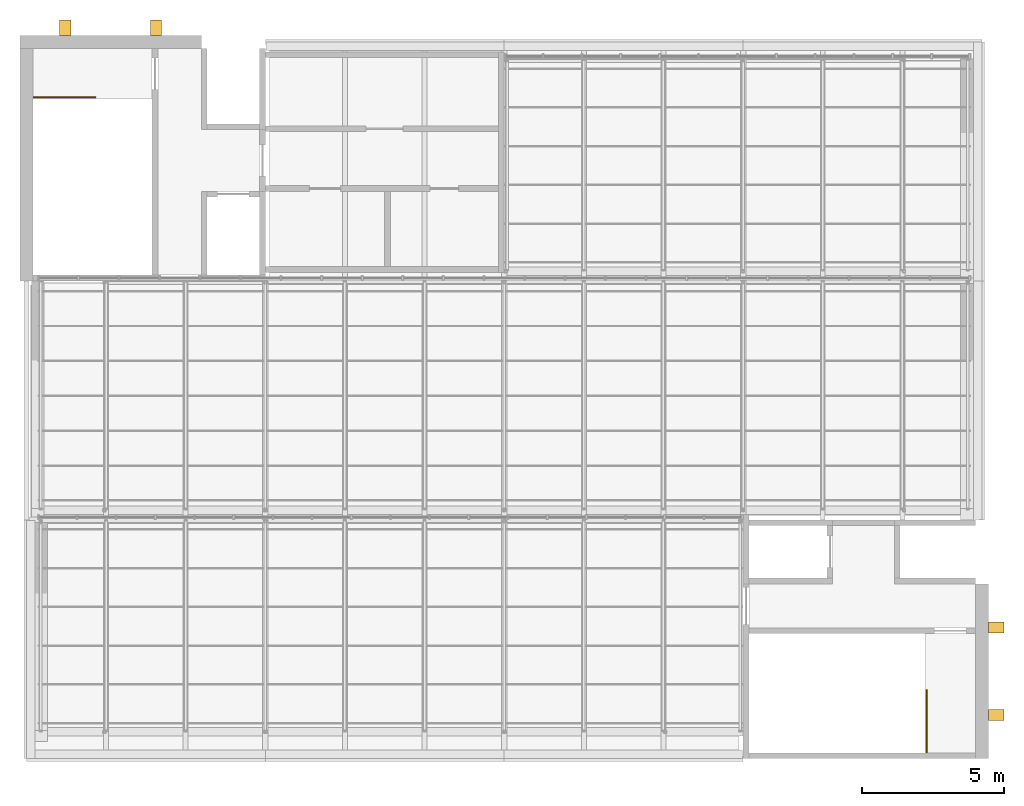
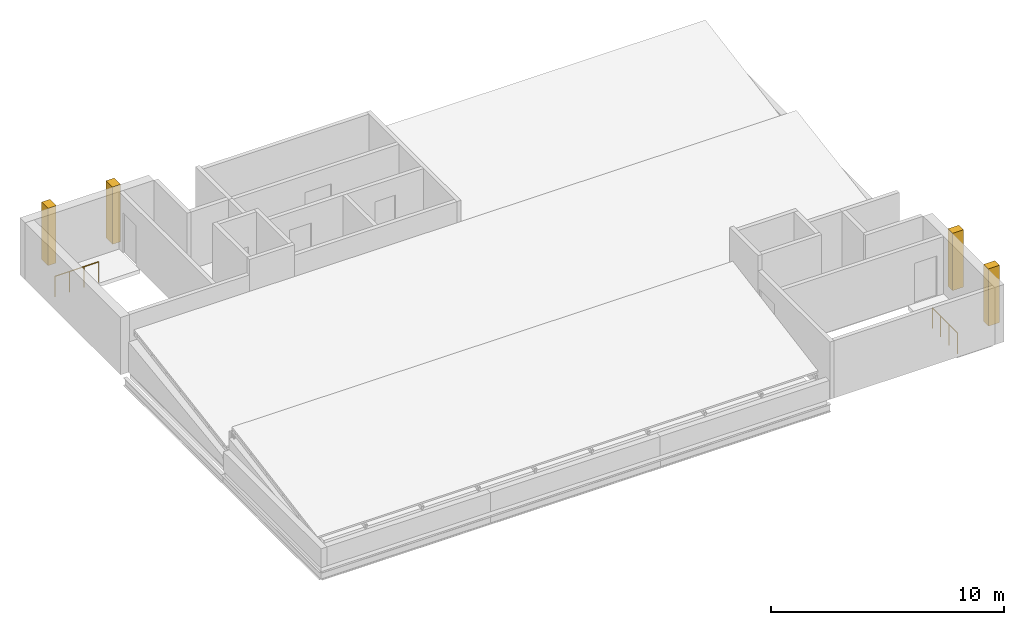
# One storey, part 33 of 33: 4 coverings, 2 railings.
"""IFC4 building model written with IfcOpenShell, lengths in metres."""

import ifcopenshell
import ifcopenshell.guid

model = None  # the IFC model being written
_history = None  # IfcOwnerHistory: only IFC2X3 demands one
_inside = {}  # id of a spatial element -> (the spatial element, [elements in it])
_under = {}  # id of a project, library or spatial element -> (it, [spatial elements below it])
_declared = {}  # id of a project -> (the project, [libraries it declares])
_typed = {}  # id of a type object -> (the type object, [elements of that type])
_made_of = {}  # id of a material, layer set ... -> (it, [elements and type objects made of it])


def new_model(schema):
    """Start an empty IFC model of exactly this schema.

    Asked for "IFC4X3", IfcOpenShell would pick the latest addendum, in which some entities
    have other attributes; the version numbers below select the first issue.
    IFC2X3 requires an IfcOwnerHistory on every rooted entity: one is made here for all.
    """
    global model, _history
    if schema == "IFC4X3":
        model = ifcopenshell.file(schema_version=(4, 3, 0, 0))
    else:
        model = ifcopenshell.file(schema=schema)
    _inside.clear()
    _under.clear()
    _declared.clear()
    _typed.clear()
    _made_of.clear()
    _history = None
    if model.schema == "IFC2X3":
        org = make("IfcOrganization", Name="unknown")
        user = make(
            "IfcPersonAndOrganization",
            ThePerson=make("IfcPerson", FamilyName="unknown"),
            TheOrganization=org,
        )
        app = make(
            "IfcApplication",
            ApplicationDeveloper=org,
            Version="unknown",
            ApplicationFullName="unknown",
            ApplicationIdentifier="unknown",
        )
        _history = make(
            "IfcOwnerHistory",
            OwningUser=user,
            OwningApplication=app,
            ChangeAction="ADDED",
            CreationDate=0,
        )
    return model


def make(cls, **values):
    """One entity of the class cls with the attributes given. An attribute that is None is left unset."""
    return model.create_entity(
        cls, **{name: value for name, value in values.items() if value is not None}
    )


def rooted(cls, **values):
    """An entity with a GlobalId (a new one), such as an element, a storey or a relation."""
    return make(cls, GlobalId=ifcopenshell.guid.new(), OwnerHistory=_history, **values)


def si_unit(unit_type, name, prefix=None):
    """IfcSIUnit, for example si_unit("LENGTHUNIT", "METRE", prefix="MILLI")."""
    return make("IfcSIUnit", UnitType=unit_type, Prefix=prefix, Name=name)


def assignment(units):
    """IfcUnitAssignment: the units of a project."""
    return None if units is None else make("IfcUnitAssignment", Units=units)


def point(xyz):
    """IfcCartesianPoint."""
    return None if xyz is None else make("IfcCartesianPoint", Coordinates=xyz)


def direction(xyz):
    """IfcDirection."""
    return None if xyz is None else make("IfcDirection", DirectionRatios=xyz)


def frame(location, z_axis=None, x_axis=None):
    """IfcAxis2Placement3D, a coordinate frame: its origin and axes. An axis left out is left unset."""
    return make(
        "IfcAxis2Placement3D",
        Location=point(location),
        Axis=direction(z_axis),
        RefDirection=direction(x_axis),
    )


def frame_2d(location, x_axis=None):
    """IfcAxis2Placement2D, a coordinate frame in the plane: its origin and x axis."""
    return make(
        "IfcAxis2Placement2D", Location=point(location), RefDirection=direction(x_axis)
    )


def origin():
    """The frame at (0, 0, 0) with its axes left unset."""
    return frame((0.0, 0.0, 0.0))


def origin_2d():
    """The frame at (0, 0) in the plane with its x axis left unset."""
    return frame_2d((0.0, 0.0))


def place(relative_to, where):
    """IfcLocalPlacement: puts the frame where relative to a parent placement (None: the world)."""
    return make(
        "IfcLocalPlacement", PlacementRelTo=relative_to, RelativePlacement=where
    )


def context(
    kind, dimensions, precision=None, world=None, true_north=None, identifier=None
):
    """IfcGeometricRepresentationContext, for example the 3D "Model" context."""
    return make(
        "IfcGeometricRepresentationContext",
        ContextIdentifier=identifier,
        ContextType=kind,
        CoordinateSpaceDimension=dimensions,
        Precision=precision,
        WorldCoordinateSystem=world,
        TrueNorth=true_north,
    )


def subcontext(parent, identifier, kind, view, scale=None):
    """IfcGeometricRepresentationSubContext, for example "Body" below "Model"."""
    return make(
        "IfcGeometricRepresentationSubContext",
        ContextIdentifier=identifier,
        ContextType=kind,
        ParentContext=parent,
        TargetScale=scale,
        TargetView=view,
    )


def project(units=None, contexts=None):
    """IfcProject with its units and contexts."""
    return rooted(
        "IfcProject",
        Name="project",
        RepresentationContexts=contexts,
        UnitsInContext=assignment(units),
    )


def spatial(cls, under=None, at=None, **own):
    """A site, building, storey or space (cls), placed at a placement, below another one or the project."""
    s = rooted(cls, ObjectPlacement=at, **own)
    if under is not None:
        _under.setdefault(under.id(), (under, []))[1].append(s)
    return s


def profile(cls, at=None, kind="AREA", **sizes):
    """A parametric profile (cls). Its sizes go by their IFC names, for example OverallWidth=200.0."""
    return make(cls, ProfileType=kind, Position=at, **sizes)


def rectangle(**sizes):
    """IfcRectangleProfileDef."""
    return profile("IfcRectangleProfileDef", **sizes)


def circle(**sizes):
    """IfcCircleProfileDef."""
    return profile("IfcCircleProfileDef", **sizes)


def extrude(swept, where, along, depth):
    """IfcExtrudedAreaSolid: the profile swept, set in the frame where, extruded along a direction by depth."""
    return make(
        "IfcExtrudedAreaSolid",
        SweptArea=swept,
        Position=where,
        ExtrudedDirection=direction(along),
        Depth=depth,
    )


def shape(context_of_items, identifier, shape_type, items):
    """IfcShapeRepresentation: the items that make up one representation, for example the "Body"."""
    return make(
        "IfcShapeRepresentation",
        ContextOfItems=context_of_items,
        RepresentationIdentifier=identifier,
        RepresentationType=shape_type,
        Items=items,
    )


def material(Name=None, Category=None):
    """IfcMaterial."""
    return make("IfcMaterial", Name=Name, Category=Category)


def layer(
    of_material, thickness, ventilated=None, Name=None, Category=None, Priority=None
):
    """IfcMaterialLayer: one layer of a wall or slab, of a material (None: an air gap)."""
    return make(
        "IfcMaterialLayer",
        Material=of_material,
        LayerThickness=thickness,
        IsVentilated=ventilated,
        Name=Name,
        Category=Category,
        Priority=Priority,
    )


def layer_set(layers, Name=None):
    """IfcMaterialLayerSet."""
    return make("IfcMaterialLayerSet", MaterialLayers=layers, LayerSetName=Name)


def made_of(thing, what):
    """Note that an element or type object is made of a material, layer set ...; save() writes the relation."""
    if what is not None:
        _made_of.setdefault(what.id(), (what, []))[1].append(thing)
    return thing


def type_object(cls, material=None, **own):
    """A type object (cls), such as IfcWallType, which elements share."""
    return made_of(rooted(cls, **own), material)


def element(
    cls,
    number,
    at=None,
    inside=None,
    cuts=None,
    type_object=None,
    material=None,
    context=None,
    identifier="Body",
    shape_type=None,
    held_by="IfcProductDefinitionShape",
    body=None,
    shapes=None,
    **own,
):
    """One element of the class cls, such as IfcWall. Its Tag is "e" and its number.

    at: its placement. inside: the storey or other place that contains it. cuts: it is an
    opening in that element (IfcRelVoidsElement). A single representation is given by context,
    identifier, shape_type and body (its items); several are given by shapes. held_by: the class
    of the entity that holds the representations. save() writes the other relations.
    """
    e = rooted(cls, Tag="e%d" % number, ObjectPlacement=at, **own)
    if body is not None:
        shapes = [shape(context, identifier, shape_type, body)]
    if shapes is not None:
        e.Representation = make(held_by, Representations=shapes)
    if inside is not None:
        _inside.setdefault(inside.id(), (inside, []))[1].append(e)
    if cuts is not None:
        rooted(
            "IfcRelVoidsElement", RelatingBuildingElement=cuts, RelatedOpeningElement=e
        )
    if type_object is not None:
        _typed.setdefault(type_object.id(), (type_object, []))[1].append(e)
    return made_of(e, material)


def aggregate(whole, parts):
    """IfcRelAggregates: a whole, such as a stair, and the parts it consists of."""
    return rooted("IfcRelAggregates", RelatingObject=whole, RelatedObjects=parts)


def save(model, path):
    """Write the relations noted so far, then the file.

    IfcRelAggregates (storeys below a building ...), IfcRelContainedInSpatialStructure (elements
    in a storey), IfcRelDefinesByType, IfcRelAssociatesMaterial and IfcRelDeclares: one each for
    every whole, place, type object, material and project.
    """
    for whole, parts in _under.values():
        aggregate(whole, parts)
    for where, things in _inside.values():
        rooted(
            "IfcRelContainedInSpatialStructure",
            RelatedElements=things,
            RelatingStructure=where,
        )
    for kind, things in _typed.values():
        rooted("IfcRelDefinesByType", RelatedObjects=things, RelatingType=kind)
    for what, things in _made_of.values():
        rooted("IfcRelAssociatesMaterial", RelatedObjects=things, RelatingMaterial=what)
    for by, libraries in _declared.values():
        rooted("IfcRelDeclares", RelatingContext=by, RelatedDefinitions=libraries)
    model.write(path)


model = new_model("IFC4")

# Units and contexts
model_context = context("Model", 3, precision=1e-05, world=origin(), true_north=direction((0.0, 1.0)))
body_context = subcontext(model_context, "Body", "Model", "MODEL_VIEW")
ifc_project = project(units=[si_unit("LENGTHUNIT", "METRE"), si_unit("AREAUNIT", "SQUARE_METRE"), si_unit("VOLUMEUNIT", "CUBIC_METRE"), si_unit("PLANEANGLEUNIT", "RADIAN"), si_unit("MASSUNIT", "GRAM", prefix="KILO")], contexts=[model_context])

# Site, building, storey
site_placement = place(None, origin())
site = spatial("IfcSite", under=ifc_project, at=site_placement, CompositionType="ELEMENT")
building_placement = place(site_placement, origin())
building = spatial("IfcBuilding", under=site, at=building_placement, Name="Ardhachandra Cancer Care Centre", CompositionType="ELEMENT")
storey_placement = place(building_placement, frame((0.0, 0.0, 27.0)))
storey = spatial("IfcBuildingStorey", under=building, at=storey_placement, Name="Roof", CompositionType="ELEMENT", Elevation=27.0)

# Railings
ifc_material_1 = material(Name="Steel E250 (IS 2062)", Category="steel")
railing_type = type_object("IfcRailingType", Name="Guard 1100", PredefinedType="GUARDRAIL", material=ifc_material_1)
railing_1_placement = place(storey_placement, frame((111.85498046875, 103.06005859375, 0.0)))
element("IfcRailing", 1, at=railing_1_placement, inside=storey, type_object=railing_type, Name="Stair well guard K12 Roof", PredefinedType="GUARDRAIL", context=body_context, shape_type="SweptSolid", body=[
    extrude(circle(Radius=0.02392578125, at=origin_2d()), frame((0.0, 0.0, 1.076171875), z_axis=(1.0, 0.0, 0.0), x_axis=(0.0, 1.0, 0.0)), (0.0, 0.0, 1.0), 2.169921875),
    extrude(circle(Radius=0.02099609375, at=origin_2d()), origin(), (0.0, 0.0, 1.0), 1.052001953125),
    extrude(circle(Radius=0.02099609375, at=origin_2d()), frame((0.723388671875, 0.0, 0.0)), (0.0, 0.0, 1.0), 1.052001953125),
    extrude(circle(Radius=0.02099609375, at=origin_2d()), frame((1.446533203125, 0.0, 0.0)), (0.0, 0.0, 1.0), 1.052001953125),
    extrude(circle(Radius=0.02099609375, at=origin_2d()), frame((2.169921875, 0.0, 0.0)), (0.0, 0.0, 1.0), 1.052001953125),
])
railing_2_placement = place(storey_placement, frame((143.260009765625, 80.030029296875, 0.0)))
element("IfcRailing", 2, at=railing_2_placement, inside=storey, type_object=railing_type, Name="Stair well guard K13 Roof", PredefinedType="GUARDRAIL", context=body_context, shape_type="SweptSolid", body=[
    extrude(circle(Radius=0.02392578125, at=origin_2d()), frame((0.0, 0.0, 1.076171875), z_axis=(0.0, 1.0, 0.0), x_axis=(-1.0, 0.0, 0.0)), (0.0, 0.0, 1.0), 2.169921875),
    extrude(circle(Radius=0.02099609375, at=origin_2d()), origin(), (0.0, 0.0, 1.0), 1.052001953125),
    extrude(circle(Radius=0.02099609375, at=origin_2d()), frame((0.0, 0.723388671875, 0.0)), (0.0, 0.0, 1.0), 1.052001953125),
    extrude(circle(Radius=0.02099609375, at=origin_2d()), frame((0.0, 1.446533203125, 0.0)), (0.0, 0.0, 1.0), 1.052001953125),
    extrude(circle(Radius=0.02099609375, at=origin_2d()), frame((0.0, 2.169921875, 0.0)), (0.0, 0.0, 1.0), 1.052001953125),
])

# Coverings
ifc_material_2 = material(Name="Precast Concrete M25", Category="concrete")
ifc_layer = layer(ifc_material_2, 0.39990234375)
ifc_layer_set = layer_set([ifc_layer], Name="Precast Concrete M25")
covering_type = type_object("IfcCoveringType", Name="Precast concrete fin 400 x 550", PredefinedType="CLADDING", material=ifc_layer_set)
for number, where, z_axis, x_axis, name in (
    (3, (112.96875, 105.5, 0.0), (0.0, 0.0, 1.0), (1.0, 0.0, 0.0), "Fin Roof core K12 1"),
    (4, (116.15625, 105.5, 0.0), (0.0, 0.0, 1.0), (1.0, 0.0, 0.0), "Fin Roof core K12 2"),
    (5, (145.699951171875, 81.33740234375, 0.0), (0.0, 0.0, 1.0), (0.0, 1.0, 0.0), "Fin Roof core K13 1"),
    (6, (145.699951171875, 84.41259765625, 0.0), (0.0, 0.0, 1.0), (0.0, 1.0, 0.0), "Fin Roof core K13 2"),
):
    element("IfcCovering", number, at=place(storey_placement, frame(where, z_axis=z_axis, x_axis=x_axis)), inside=storey, type_object=covering_type, Name=name, PredefinedType="CLADDING", context=body_context, shape_type="SweptSolid", body=[
        extrude(rectangle(XDim=0.39990234375, YDim=0.550048828125, at=origin_2d()), origin(), (0.0, 0.0, 1.0), 3.0),
    ])

save(model, "model.ifc")
